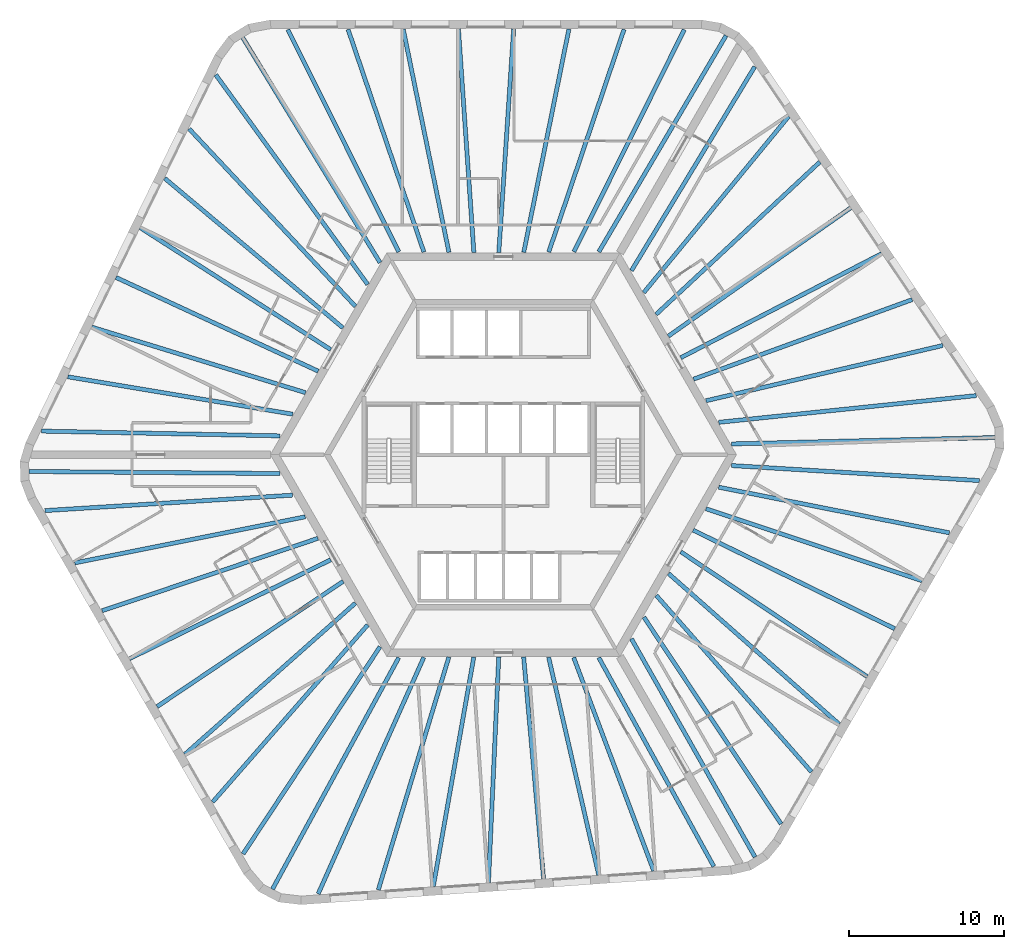
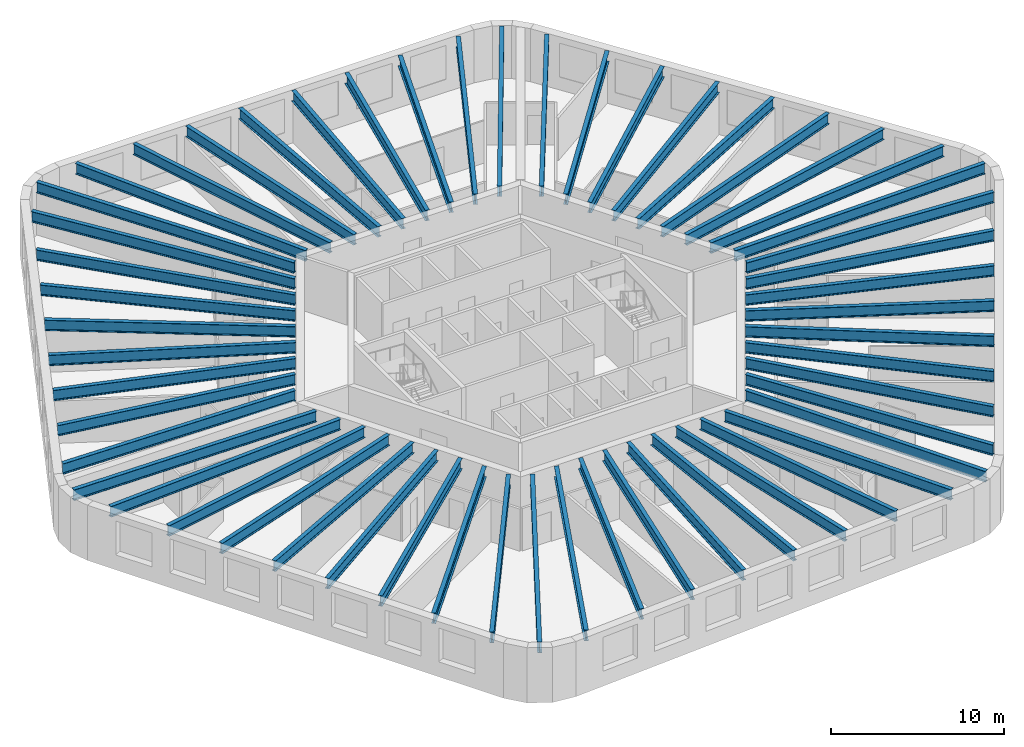
# One storey, part 1 of 10: 54 beams.
"""IFC4 building model written with IfcOpenShell, lengths in metres."""

from ifc_helpers import new_model, si_unit, direction, frame, origin, origin_2d, place, context, subcontext, project, spatial, i_section, extrude, material, material_profile, profile_set, type_object, element, save


model = new_model("IFC4")

# Units and contexts
model_context = context("Model", 3, precision=1e-05, world=origin(), true_north=direction((0.0, 1.0)))
body_context = subcontext(model_context, "Body", "Model", "MODEL_VIEW")
ifc_project = project(units=[si_unit("LENGTHUNIT", "METRE"), si_unit("AREAUNIT", "SQUARE_METRE"), si_unit("VOLUMEUNIT", "CUBIC_METRE"), si_unit("PLANEANGLEUNIT", "RADIAN"), si_unit("MASSUNIT", "GRAM", prefix="KILO")], contexts=[model_context])

# Site, building, storey
site_placement = place(None, origin())
site = spatial("IfcSite", under=ifc_project, at=site_placement, CompositionType="ELEMENT")
building_placement = place(site_placement, origin())
building = spatial("IfcBuilding", under=site, at=building_placement, Name="Tarnside Tower", CompositionType="ELEMENT")
storey_placement = place(building_placement, frame((0.0, 0.0, 230.699951171875)))
storey = spatial("IfcBuildingStorey", under=building, at=storey_placement, Name="L55", CompositionType="ELEMENT", Elevation=230.699951171875)

# Beams
ifc_material = material(Name="Steel S355", Category="steel")
ifc_material_profile_1 = material_profile(ifc_material, i_section(OverallWidth=0.26513671875, OverallDepth=0.75390625, WebThickness=0.0126953125, FlangeThickness=0.017578125, FilletRadius=0.0166015625, at=origin_2d()), Name="UB 762x267x147")
ifc_profile_set_1 = profile_set([ifc_material_profile_1], Name="Steel S355")
beam_type_1 = type_object("IfcBeamType", Name="Floor beam UB 762x267x147", PredefinedType="BEAM", material=ifc_profile_set_1)
beam_1_placement = place(storey_placement, frame((7.77001953125, 27.393310546875, 3.373046875), z_axis=(-0.320362579778, -0.947295000239, 0.0), x_axis=(0.947295000239, -0.320362579778, 0.0)))
element("IfcBeam", 1, at=beam_1_placement, inside=storey, type_object=beam_type_1, Name="Floor beam F1.02", PredefinedType="BEAM", context=body_context, shape_type="SweptSolid", body=[
    extrude(i_section(OverallWidth=0.26513671875, OverallDepth=0.75390625, WebThickness=0.0126953125, FlangeThickness=0.017578125, FilletRadius=0.0166015625, at=origin_2d()), origin(), (0.0, 0.0, 1.0), 15.134033203125),
])
beam_2_placement = place(storey_placement, frame((4.218505859375, 27.410888671875, 3.373046875), z_axis=(-0.19841777413, -0.980117537293, 0.0), x_axis=(0.980117537293, -0.19841777413, 0.0)))
element("IfcBeam", 2, at=beam_2_placement, inside=storey, type_object=beam_type_1, Name="Floor beam F1.03", PredefinedType="BEAM", context=body_context, shape_type="SweptSolid", body=[
    extrude(i_section(OverallWidth=0.26513671875, OverallDepth=0.75390625, WebThickness=0.0126953125, FlangeThickness=0.017578125, FilletRadius=0.0166015625, at=origin_2d()), origin(), (0.0, 0.0, 1.0), 14.6630859375),
])
beam_3_placement = place(storey_placement, frame((0.66259765625, 27.429931640625, 3.373046875), z_axis=(-0.066554914868, -0.997782763585, 0.0), x_axis=(0.997782763585, -0.066554914868, 0.0)))
element("IfcBeam", 3, at=beam_3_placement, inside=storey, type_object=beam_type_1, Name="Floor beam F1.04", PredefinedType="BEAM", context=body_context, shape_type="SweptSolid", body=[
    extrude(i_section(OverallWidth=0.26513671875, OverallDepth=0.75390625, WebThickness=0.0126953125, FlangeThickness=0.017578125, FilletRadius=0.0166015625, at=origin_2d()), origin(), (0.0, 0.0, 1.0), 14.44189453125),
])
beam_4_placement = place(storey_placement, frame((-2.8974609375, 27.429931640625, 3.373046875), z_axis=(0.068876921658, -0.997625164911, 0.0), x_axis=(0.997625164911, 0.068876921658, 0.0)))
element("IfcBeam", 4, at=beam_4_placement, inside=storey, type_object=beam_type_1, Name="Floor beam F1.05", PredefinedType="BEAM", context=body_context, shape_type="SweptSolid", body=[
    extrude(i_section(OverallWidth=0.26513671875, OverallDepth=0.75390625, WebThickness=0.0126953125, FlangeThickness=0.017578125, FilletRadius=0.0166015625, at=origin_2d()), origin(), (0.0, 0.0, 1.0), 14.4443359375),
])
beam_5_placement = place(storey_placement, frame((-6.45361328125, 27.410888671875, 3.373046875), z_axis=(0.200623497398, -0.979668419564, 0.0), x_axis=(0.979668419564, 0.200623497398, 0.0)))
element("IfcBeam", 5, at=beam_5_placement, inside=storey, type_object=beam_type_1, Name="Floor beam F1.06", PredefinedType="BEAM", context=body_context, shape_type="SweptSolid", body=[
    extrude(i_section(OverallWidth=0.26513671875, OverallDepth=0.75390625, WebThickness=0.0126953125, FlangeThickness=0.017578125, FilletRadius=0.0166015625, at=origin_2d()), origin(), (0.0, 0.0, 1.0), 14.669921875),
])
beam_6_placement = place(storey_placement, frame((-10.0048828125, 27.393310546875, 3.373046875), z_axis=(0.322343712034, -0.946622697442, 0.0), x_axis=(0.946622697442, 0.322343712034, 0.0)))
element("IfcBeam", 6, at=beam_6_placement, inside=storey, type_object=beam_type_1, Name="Floor beam F1.07", PredefinedType="BEAM", context=body_context, shape_type="SweptSolid", body=[
    extrude(i_section(OverallWidth=0.26513671875, OverallDepth=0.75390625, WebThickness=0.0126953125, FlangeThickness=0.017578125, FilletRadius=0.0166015625, at=origin_2d()), origin(), (0.0, 0.0, 1.0), 15.144775390625),
])
beam_7_placement = place(storey_placement, frame((-20.241455078125, 20.9892578125, 3.373046875), z_axis=(0.683752330283, -0.729714156936, 0.0), x_axis=(0.729714156936, 0.683752330283, 0.0)))
element("IfcBeam", 7, at=beam_7_placement, inside=storey, type_object=beam_type_1, Name="Floor beam F2.02", PredefinedType="BEAM", context=body_context, shape_type="SweptSolid", body=[
    extrude(i_section(OverallWidth=0.26513671875, OverallDepth=0.75390625, WebThickness=0.0126953125, FlangeThickness=0.017578125, FilletRadius=0.0166015625, at=origin_2d()), origin(), (0.0, 0.0, 1.0), 15.6591796875),
])
beam_8_placement = place(storey_placement, frame((-21.81396484375, 17.80419921875, 3.373046875), z_axis=(0.765948461073, -0.642901979294, 0.0), x_axis=(0.642901979294, 0.765948461073, 0.0)))
element("IfcBeam", 8, at=beam_8_placement, inside=storey, type_object=beam_type_1, Name="Floor beam F2.03", PredefinedType="BEAM", context=body_context, shape_type="SweptSolid", body=[
    extrude(i_section(OverallWidth=0.26513671875, OverallDepth=0.75390625, WebThickness=0.0126953125, FlangeThickness=0.017578125, FilletRadius=0.0166015625, at=origin_2d()), origin(), (0.0, 0.0, 1.0), 14.982177734375),
])
beam_9_placement = place(storey_placement, frame((-23.389892578125, 14.616455078125, 3.373046875), z_axis=(0.842378275633, -0.538886667808, 0.0), x_axis=(0.538886667808, 0.842378275633, 0.0)))
element("IfcBeam", 9, at=beam_9_placement, inside=storey, type_object=beam_type_1, Name="Floor beam F2.04", PredefinedType="BEAM", context=body_context, shape_type="SweptSolid", body=[
    extrude(i_section(OverallWidth=0.26513671875, OverallDepth=0.75390625, WebThickness=0.0126953125, FlangeThickness=0.017578125, FilletRadius=0.0166015625, at=origin_2d()), origin(), (0.0, 0.0, 1.0), 14.5595703125),
])
beam_10_placement = place(storey_placement, frame((-24.9501953125, 11.416748046875, 3.373046875), z_axis=(0.907310131748, -0.420462037321, 0.0), x_axis=(0.420462037321, 0.907310131748, 0.0)))
element("IfcBeam", 10, at=beam_10_placement, inside=storey, type_object=beam_type_1, Name="Floor beam F2.05", PredefinedType="BEAM", context=body_context, shape_type="SweptSolid", body=[
    extrude(i_section(OverallWidth=0.26513671875, OverallDepth=0.75390625, WebThickness=0.0126953125, FlangeThickness=0.017578125, FilletRadius=0.0166015625, at=origin_2d()), origin(), (0.0, 0.0, 1.0), 14.353515625),
])
beam_11_placement = place(storey_placement, frame((-26.510986328125, 8.2177734375, 3.373046875), z_axis=(0.956073348261, -0.293127536654, 0.0), x_axis=(0.293127536654, 0.956073348261, 0.0)))
element("IfcBeam", 11, at=beam_11_placement, inside=storey, type_object=beam_type_1, Name="Floor beam F2.06", PredefinedType="BEAM", context=body_context, shape_type="SweptSolid", body=[
    extrude(i_section(OverallWidth=0.26513671875, OverallDepth=0.75390625, WebThickness=0.0126953125, FlangeThickness=0.017578125, FilletRadius=0.0166015625, at=origin_2d()), origin(), (0.0, 0.0, 1.0), 14.3955078125),
])
beam_12_placement = place(storey_placement, frame((-28.0517578125, 5.015869140625, 3.373046875), z_axis=(0.986476498304, -0.163902770858, 0.0), x_axis=(0.163902770858, 0.986476498304, 0.0)))
element("IfcBeam", 12, at=beam_12_placement, inside=storey, type_object=beam_type_1, Name="Floor beam F2.07", PredefinedType="BEAM", context=body_context, shape_type="SweptSolid", body=[
    extrude(i_section(OverallWidth=0.26513671875, OverallDepth=0.75390625, WebThickness=0.0126953125, FlangeThickness=0.017578125, FilletRadius=0.0166015625, at=origin_2d()), origin(), (0.0, 0.0, 1.0), 14.680908203125),
])
beam_13_placement = place(storey_placement, frame((-29.73828125, 1.521484375, 3.373046875), z_axis=(0.999800142641, -0.019991867701, 0.0), x_axis=(0.019991867701, 0.999800142641, 0.0)))
element("IfcBeam", 13, at=beam_13_placement, inside=storey, type_object=beam_type_1, Name="Floor beam F2.08", PredefinedType="BEAM", context=body_context, shape_type="SweptSolid", body=[
    extrude(i_section(OverallWidth=0.26513671875, OverallDepth=0.75390625, WebThickness=0.0126953125, FlangeThickness=0.017578125, FilletRadius=0.0166015625, at=origin_2d()), origin(), (0.0, 0.0, 1.0), 15.3505859375),
])
beam_14_placement = place(storey_placement, frame((-27.608154296875, -6.967529296875, 3.373046875), z_axis=(0.980564540422, 0.196196794232, 0.0), x_axis=(-0.196196794232, 0.980564540422, 0.0)))
element("IfcBeam", 14, at=beam_14_placement, inside=storey, type_object=beam_type_1, Name="Floor beam F3.02", PredefinedType="BEAM", context=body_context, shape_type="SweptSolid", body=[
    extrude(i_section(OverallWidth=0.26513671875, OverallDepth=0.75390625, WebThickness=0.0126953125, FlangeThickness=0.017578125, FilletRadius=0.0166015625, at=origin_2d()), origin(), (0.0, 0.0, 1.0), 15.134033203125),
])
beam_15_placement = place(storey_placement, frame((-25.84765625, -10.052001953125, 3.373046875), z_axis=(0.948011835322, 0.31823507049, 0.0), x_axis=(-0.31823507049, 0.948011835322, 0.0)))
element("IfcBeam", 15, at=beam_15_placement, inside=storey, type_object=beam_type_1, Name="Floor beam F3.03", PredefinedType="BEAM", context=body_context, shape_type="SweptSolid", body=[
    extrude(i_section(OverallWidth=0.26513671875, OverallDepth=0.75390625, WebThickness=0.0126953125, FlangeThickness=0.017578125, FilletRadius=0.0166015625, at=origin_2d()), origin(), (0.0, 0.0, 1.0), 14.662841796875),
])
beam_16_placement = place(storey_placement, frame((-24.086181640625, -13.141357421875, 3.373046875), z_axis=(0.897375974806, 0.441266767206, 0.0), x_axis=(-0.441266767206, 0.897375974806, 0.0)))
element("IfcBeam", 16, at=beam_16_placement, inside=storey, type_object=beam_type_1, Name="Floor beam F3.04", PredefinedType="BEAM", context=body_context, shape_type="SweptSolid", body=[
    extrude(i_section(OverallWidth=0.26513671875, OverallDepth=0.75390625, WebThickness=0.0126953125, FlangeThickness=0.017578125, FilletRadius=0.0166015625, at=origin_2d()), origin(), (0.0, 0.0, 1.0), 14.442138671875),
])
beam_17_placement = place(storey_placement, frame((-22.306396484375, -16.224365234375, 3.373046875), z_axis=(0.829532486243, 0.558458462437, 0.0), x_axis=(-0.558458462437, 0.829532486243, 0.0)))
element("IfcBeam", 17, at=beam_17_placement, inside=storey, type_object=beam_type_1, Name="Floor beam F3.05", PredefinedType="BEAM", context=body_context, shape_type="SweptSolid", body=[
    extrude(i_section(OverallWidth=0.26513671875, OverallDepth=0.75390625, WebThickness=0.0126953125, FlangeThickness=0.017578125, FilletRadius=0.0166015625, at=origin_2d()), origin(), (0.0, 0.0, 1.0), 14.444580078125),
])
beam_18_placement = place(storey_placement, frame((-20.51171875, -19.294189453125, 3.373046875), z_axis=(0.74811408094, 0.663570133369, 0.0), x_axis=(-0.663570133369, 0.74811408094, 0.0)))
element("IfcBeam", 18, at=beam_18_placement, inside=storey, type_object=beam_type_1, Name="Floor beam F3.06", PredefinedType="BEAM", context=body_context, shape_type="SweptSolid", body=[
    extrude(i_section(OverallWidth=0.26513671875, OverallDepth=0.75390625, WebThickness=0.0126953125, FlangeThickness=0.017578125, FilletRadius=0.0166015625, at=origin_2d()), origin(), (0.0, 0.0, 1.0), 14.669677734375),
])
beam_19_placement = place(storey_placement, frame((-18.720703125, -22.361083984375, 3.373046875), z_axis=(0.658621010302, 0.752474826681, 0.0), x_axis=(-0.752474826681, 0.658621010302, 0.0)))
element("IfcBeam", 19, at=beam_19_placement, inside=storey, type_object=beam_type_1, Name="Floor beam F3.07", PredefinedType="BEAM", context=body_context, shape_type="SweptSolid", body=[
    extrude(i_section(OverallWidth=0.26513671875, OverallDepth=0.75390625, WebThickness=0.0126953125, FlangeThickness=0.017578125, FilletRadius=0.0166015625, at=origin_2d()), origin(), (0.0, 0.0, 1.0), 15.144775390625),
])
beam_20_placement = place(storey_placement, frame((-8.056396484375, -28.024169921875, 3.373046875), z_axis=(0.290070138838, 0.957005388989, 0.0), x_axis=(-0.957005388989, 0.290070138838, 0.0)))
element("IfcBeam", 20, at=beam_20_placement, inside=storey, type_object=beam_type_1, Name="Floor beam F4.02", PredefinedType="BEAM", context=body_context, shape_type="SweptSolid", body=[
    extrude(i_section(OverallWidth=0.26513671875, OverallDepth=0.75390625, WebThickness=0.0126953125, FlangeThickness=0.017578125, FilletRadius=0.0166015625, at=origin_2d()), origin(), (0.0, 0.0, 1.0), 15.6591796875),
])
beam_21_placement = place(storey_placement, frame((-4.511962890625, -27.793701171875, 3.373046875), z_axis=(0.173788122681, 0.984783066678, 0.0), x_axis=(-0.984783066678, 0.173788122681, 0.0)))
element("IfcBeam", 21, at=beam_21_placement, inside=storey, type_object=beam_type_1, Name="Floor beam F4.03", PredefinedType="BEAM", context=body_context, shape_type="SweptSolid", body=[
    extrude(i_section(OverallWidth=0.26513671875, OverallDepth=0.75390625, WebThickness=0.0126953125, FlangeThickness=0.017578125, FilletRadius=0.0166015625, at=origin_2d()), origin(), (0.0, 0.0, 1.0), 14.982421875),
])
beam_22_placement = place(storey_placement, frame((-0.96337890625, -27.564453125, 3.373046875), z_axis=(0.045509585226, 0.998963902077, 0.0), x_axis=(-0.998963902077, 0.045509585226, 0.0)))
element("IfcBeam", 22, at=beam_22_placement, inside=storey, type_object=beam_type_1, Name="Floor beam F4.04", PredefinedType="BEAM", context=body_context, shape_type="SweptSolid", body=[
    extrude(i_section(OverallWidth=0.26513671875, OverallDepth=0.75390625, WebThickness=0.0126953125, FlangeThickness=0.017578125, FilletRadius=0.0166015625, at=origin_2d()), origin(), (0.0, 0.0, 1.0), 14.5595703125),
])
beam_23_placement = place(storey_placement, frame((2.587890625, -27.31591796875, 3.373046875), z_axis=(-0.089518916897, 0.995985122137, 0.0), x_axis=(-0.995985122137, -0.089518916897, 0.0)))
element("IfcBeam", 23, at=beam_23_placement, inside=storey, type_object=beam_type_1, Name="Floor beam F4.05", PredefinedType="BEAM", context=body_context, shape_type="SweptSolid", body=[
    extrude(i_section(OverallWidth=0.26513671875, OverallDepth=0.75390625, WebThickness=0.0126953125, FlangeThickness=0.017578125, FilletRadius=0.0166015625, at=origin_2d()), origin(), (0.0, 0.0, 1.0), 14.353515625),
])
beam_24_placement = place(storey_placement, frame((6.138671875, -27.068115234375, 3.373046875), z_axis=(-0.224188122435, 0.974545886944, 0.0), x_axis=(-0.974545886944, -0.224188122435, 0.0)))
element("IfcBeam", 24, at=beam_24_placement, inside=storey, type_object=beam_type_1, Name="Floor beam F4.06", PredefinedType="BEAM", context=body_context, shape_type="SweptSolid", body=[
    extrude(i_section(OverallWidth=0.26513671875, OverallDepth=0.75390625, WebThickness=0.0126953125, FlangeThickness=0.017578125, FilletRadius=0.0166015625, at=origin_2d()), origin(), (0.0, 0.0, 1.0), 14.3955078125),
])
beam_25_placement = place(storey_placement, frame((9.681884765625, -26.801513671875, 3.373046875), z_axis=(-0.351271055087, 0.936273809234, 0.0), x_axis=(-0.936273809234, -0.351271055087, 0.0)))
element("IfcBeam", 25, at=beam_25_placement, inside=storey, type_object=beam_type_1, Name="Floor beam F4.07", PredefinedType="BEAM", context=body_context, shape_type="SweptSolid", body=[
    extrude(i_section(OverallWidth=0.26513671875, OverallDepth=0.75390625, WebThickness=0.0126953125, FlangeThickness=0.017578125, FilletRadius=0.0166015625, at=origin_2d()), origin(), (0.0, 0.0, 1.0), 14.680908203125),
])
beam_26_placement = place(storey_placement, frame((13.551513671875, -26.514892578125, 3.373046875), z_axis=(-0.482584088089, 0.875849643445, 0.0), x_axis=(-0.875849643445, -0.482584088089, 0.0)))
element("IfcBeam", 26, at=beam_26_placement, inside=storey, type_object=beam_type_1, Name="Floor beam F4.08", PredefinedType="BEAM", context=body_context, shape_type="SweptSolid", body=[
    extrude(i_section(OverallWidth=0.26513671875, OverallDepth=0.75390625, WebThickness=0.0126953125, FlangeThickness=0.017578125, FilletRadius=0.0166015625, at=origin_2d()), origin(), (0.0, 0.0, 1.0), 15.3505859375),
])
beam_27_placement = place(storey_placement, frame((19.838134765625, -20.425537109375, 3.373046875), z_axis=(-0.660201214512, 0.751088780609, 0.0), x_axis=(-0.751088780609, -0.660201214512, 0.0)))
element("IfcBeam", 27, at=beam_27_placement, inside=storey, type_object=beam_type_1, Name="Floor beam F5.02", PredefinedType="BEAM", context=body_context, shape_type="SweptSolid", body=[
    extrude(i_section(OverallWidth=0.26513671875, OverallDepth=0.75390625, WebThickness=0.0126953125, FlangeThickness=0.017578125, FilletRadius=0.0166015625, at=origin_2d()), origin(), (0.0, 0.0, 1.0), 15.134033203125),
])
beam_28_placement = place(storey_placement, frame((21.629150390625, -17.358642578125, 3.373046875), z_axis=(-0.749601662028, 0.661889226597, 0.0), x_axis=(-0.661889226597, -0.749601662028, 0.0)))
element("IfcBeam", 28, at=beam_28_placement, inside=storey, type_object=beam_type_1, Name="Floor beam F5.03", PredefinedType="BEAM", context=body_context, shape_type="SweptSolid", body=[
    extrude(i_section(OverallWidth=0.26513671875, OverallDepth=0.75390625, WebThickness=0.0126953125, FlangeThickness=0.017578125, FilletRadius=0.0166015625, at=origin_2d()), origin(), (0.0, 0.0, 1.0), 14.6630859375),
])
beam_29_placement = place(storey_placement, frame((23.423828125, -14.288818359375, 3.373046875), z_axis=(-0.830825943553, 0.556532345439, 0.0), x_axis=(-0.556532345439, -0.830825943553, 0.0)))
element("IfcBeam", 29, at=beam_29_placement, inside=storey, type_object=beam_type_1, Name="Floor beam F5.04", PredefinedType="BEAM", context=body_context, shape_type="SweptSolid", body=[
    extrude(i_section(OverallWidth=0.26513671875, OverallDepth=0.75390625, WebThickness=0.0126953125, FlangeThickness=0.017578125, FilletRadius=0.0166015625, at=origin_2d()), origin(), (0.0, 0.0, 1.0), 14.4423828125),
])
beam_30_placement = place(storey_placement, frame((25.203857421875, -11.205810546875, 3.373046875), z_axis=(-0.898407034897, 0.43916375038, 0.0), x_axis=(-0.43916375038, -0.898407034897, 0.0)))
element("IfcBeam", 30, at=beam_30_placement, inside=storey, type_object=beam_type_1, Name="Floor beam F5.05", PredefinedType="BEAM", context=body_context, shape_type="SweptSolid", body=[
    extrude(i_section(OverallWidth=0.26513671875, OverallDepth=0.75390625, WebThickness=0.0126953125, FlangeThickness=0.017578125, FilletRadius=0.0166015625, at=origin_2d()), origin(), (0.0, 0.0, 1.0), 14.444580078125),
])
beam_31_placement = place(storey_placement, frame((26.965087890625, -8.116455078125, 3.373046875), z_axis=(-0.948728223501, 0.31609295774, 0.0), x_axis=(-0.31609295774, -0.948728223501, 0.0)))
element("IfcBeam", 31, at=beam_31_placement, inside=storey, type_object=beam_type_1, Name="Floor beam F5.06", PredefinedType="BEAM", context=body_context, shape_type="SweptSolid", body=[
    extrude(i_section(OverallWidth=0.26513671875, OverallDepth=0.75390625, WebThickness=0.0126953125, FlangeThickness=0.017578125, FilletRadius=0.0166015625, at=origin_2d()), origin(), (0.0, 0.0, 1.0), 14.669677734375),
])
beam_32_placement = place(storey_placement, frame((28.7255859375, -5.031982421875, 3.373046875), z_axis=(-0.980974250646, 0.194137888034, 0.0), x_axis=(-0.194137888034, -0.980974250646, 0.0)))
element("IfcBeam", 32, at=beam_32_placement, inside=storey, type_object=beam_type_1, Name="Floor beam F5.07", PredefinedType="BEAM", context=body_context, shape_type="SweptSolid", body=[
    extrude(i_section(OverallWidth=0.26513671875, OverallDepth=0.75390625, WebThickness=0.0126953125, FlangeThickness=0.017578125, FilletRadius=0.0166015625, at=origin_2d()), origin(), (0.0, 0.0, 1.0), 15.144775390625),
])
beam_33_placement = place(storey_placement, frame((28.2978515625, 7.034912109375, 3.373046875), z_axis=(-0.973828212928, -0.227285309042, 0.0), x_axis=(0.227285309042, -0.973828212928, 0.0)))
element("IfcBeam", 33, at=beam_33_placement, inside=storey, type_object=beam_type_1, Name="Floor beam F6.02", PredefinedType="BEAM", context=body_context, shape_type="SweptSolid", body=[
    extrude(i_section(OverallWidth=0.26513671875, OverallDepth=0.75390625, WebThickness=0.0126953125, FlangeThickness=0.017578125, FilletRadius=0.0166015625, at=origin_2d()), origin(), (0.0, 0.0, 1.0), 15.6591796875),
])
beam_34_placement = place(storey_placement, frame((26.325927734375, 9.989501953125, 3.373046875), z_axis=(-0.939738697004, -0.341893523415, 0.0), x_axis=(0.341893523415, -0.939738697004, 0.0)))
element("IfcBeam", 34, at=beam_34_placement, inside=storey, type_object=beam_type_1, Name="Floor beam F6.03", PredefinedType="BEAM", context=body_context, shape_type="SweptSolid", body=[
    extrude(i_section(OverallWidth=0.26513671875, OverallDepth=0.75390625, WebThickness=0.0126953125, FlangeThickness=0.017578125, FilletRadius=0.0166015625, at=origin_2d()), origin(), (0.0, 0.0, 1.0), 14.982177734375),
])
beam_35_placement = place(storey_placement, frame((24.353271484375, 12.947998046875, 3.373046875), z_axis=(-0.887881646639, -0.460071930856, 0.0), x_axis=(0.460071930856, -0.887881646639, 0.0)))
element("IfcBeam", 35, at=beam_35_placement, inside=storey, type_object=beam_type_1, Name="Floor beam F6.04", PredefinedType="BEAM", context=body_context, shape_type="SweptSolid", body=[
    extrude(i_section(OverallWidth=0.26513671875, OverallDepth=0.75390625, WebThickness=0.0126953125, FlangeThickness=0.017578125, FilletRadius=0.0166015625, at=origin_2d()), origin(), (0.0, 0.0, 1.0), 14.5595703125),
])
beam_36_placement = place(storey_placement, frame((22.3623046875, 15.899169921875, 3.373046875), z_axis=(-0.817791001708, -0.575515314762, 0.0), x_axis=(0.575515314762, -0.817791001708, 0.0)))
element("IfcBeam", 36, at=beam_36_placement, inside=storey, type_object=beam_type_1, Name="Floor beam F6.05", PredefinedType="BEAM", context=body_context, shape_type="SweptSolid", body=[
    extrude(i_section(OverallWidth=0.26513671875, OverallDepth=0.75390625, WebThickness=0.0126953125, FlangeThickness=0.017578125, FilletRadius=0.0166015625, at=origin_2d()), origin(), (0.0, 0.0, 1.0), 14.353759765625),
])
beam_37_placement = place(storey_placement, frame((20.372314453125, 18.850341796875, 3.373046875), z_axis=(-0.731892224456, -0.681420407517, 0.0), x_axis=(0.681420407517, -0.731892224456, 0.0)))
element("IfcBeam", 37, at=beam_37_placement, inside=storey, type_object=beam_type_1, Name="Floor beam F6.06", PredefinedType="BEAM", context=body_context, shape_type="SweptSolid", body=[
    extrude(i_section(OverallWidth=0.26513671875, OverallDepth=0.75390625, WebThickness=0.0126953125, FlangeThickness=0.017578125, FilletRadius=0.0166015625, at=origin_2d()), origin(), (0.0, 0.0, 1.0), 14.3955078125),
])
beam_38_placement = place(storey_placement, frame((18.369873046875, 21.78564453125, 3.373046875), z_axis=(-0.635191827457, -0.772354414975, 0.0), x_axis=(0.772354414975, -0.635191827457, 0.0)))
element("IfcBeam", 38, at=beam_38_placement, inside=storey, type_object=beam_type_1, Name="Floor beam F6.07", PredefinedType="BEAM", context=body_context, shape_type="SweptSolid", body=[
    extrude(i_section(OverallWidth=0.26513671875, OverallDepth=0.75390625, WebThickness=0.0126953125, FlangeThickness=0.017578125, FilletRadius=0.0166015625, at=origin_2d()), origin(), (0.0, 0.0, 1.0), 14.680908203125),
])
beam_39_placement = place(storey_placement, frame((16.186767578125, 24.993408203125, 3.373046875), z_axis=(-0.517208605106, -0.855859368591, 0.0), x_axis=(0.855859368591, -0.517208605106, 0.0)))
element("IfcBeam", 39, at=beam_39_placement, inside=storey, type_object=beam_type_1, Name="Floor beam F6.08", PredefinedType="BEAM", context=body_context, shape_type="SweptSolid", body=[
    extrude(i_section(OverallWidth=0.26513671875, OverallDepth=0.75390625, WebThickness=0.0126953125, FlangeThickness=0.017578125, FilletRadius=0.0166015625, at=origin_2d()), origin(), (0.0, 0.0, 1.0), 15.3505859375),
])
ifc_material_profile_2 = material_profile(ifc_material, i_section(OverallWidth=0.2666015625, OverallDepth=0.76220703125, WebThickness=0.014404296875, FlangeThickness=0.021484375, FilletRadius=0.0166015625, at=origin_2d()), Name="UB 762x267x173")
ifc_profile_set_2 = profile_set([ifc_material_profile_2], Name="Steel S355")
beam_type_2 = type_object("IfcBeamType", Name="Floor beam UB 762x267x173", PredefinedType="BEAM", material=ifc_profile_set_2)
beam_40_placement = place(storey_placement, frame((11.6494140625, 27.37841796875, 3.368896484375), z_axis=(-0.445042310328, -0.895509543231, 0.0), x_axis=(0.895509543231, -0.445042310328, 0.0)))
element("IfcBeam", 40, at=beam_40_placement, inside=storey, type_object=beam_type_2, Name="Floor beam F1.01", PredefinedType="BEAM", context=body_context, shape_type="SweptSolid", body=[
    extrude(i_section(OverallWidth=0.2666015625, OverallDepth=0.76220703125, WebThickness=0.014404296875, FlangeThickness=0.021484375, FilletRadius=0.0166015625, at=origin_2d()), origin(), (0.0, 0.0, 1.0), 15.976318359375),
])
beam_41_placement = place(storey_placement, frame((-13.884521484375, 27.37841796875, 3.368896484375), z_axis=(0.44673108957, -0.894668281326, 0.0), x_axis=(0.894668281326, 0.44673108957, 0.0)))
element("IfcBeam", 41, at=beam_41_placement, inside=storey, type_object=beam_type_2, Name="Floor beam F1.08", PredefinedType="BEAM", context=body_context, shape_type="SweptSolid", body=[
    extrude(i_section(OverallWidth=0.2666015625, OverallDepth=0.76220703125, WebThickness=0.014404296875, FlangeThickness=0.021484375, FilletRadius=0.0166015625, at=origin_2d()), origin(), (0.0, 0.0, 1.0), 15.9912109375),
])
beam_42_placement = place(storey_placement, frame((-16.79345703125, 26.86962890625, 3.368896484375), z_axis=(0.520940467881, -0.853593011291, 0.0), x_axis=(0.853593011291, 0.520940467881, 0.0)))
element("IfcBeam", 42, at=beam_42_placement, inside=storey, type_object=beam_type_2, Name="Floor beam C1", PredefinedType="BEAM", context=body_context, shape_type="SweptSolid", body=[
    extrude(i_section(OverallWidth=0.2666015625, OverallDepth=0.76220703125, WebThickness=0.014404296875, FlangeThickness=0.021484375, FilletRadius=0.0166015625, at=origin_2d()), origin(), (0.0, 0.0, 1.0), 16.980712890625),
])
beam_43_placement = place(storey_placement, frame((-18.52685546875, 24.471435546875, 3.368896484375), z_axis=(0.586791943415, -0.80973774467, 0.0), x_axis=(0.80973774467, 0.586791943415, 0.0)))
element("IfcBeam", 43, at=beam_43_placement, inside=storey, type_object=beam_type_2, Name="Floor beam F2.01", PredefinedType="BEAM", context=body_context, shape_type="SweptSolid", body=[
    extrude(i_section(OverallWidth=0.2666015625, OverallDepth=0.76220703125, WebThickness=0.014404296875, FlangeThickness=0.021484375, FilletRadius=0.0166015625, at=origin_2d()), origin(), (0.0, 0.0, 1.0), 16.67578125),
])
beam_44_placement = place(storey_placement, frame((-30.543212890625, -1.079345703125, 3.368896484375), z_axis=(0.999966072652, -0.008237326324, 0.0), x_axis=(0.008237326324, 0.999966072652, 0.0)))
element("IfcBeam", 44, at=beam_44_placement, inside=storey, type_object=beam_type_2, Name="Floor beam C2", PredefinedType="BEAM", context=body_context, shape_type="SweptSolid", body=[
    extrude(i_section(OverallWidth=0.2666015625, OverallDepth=0.76220703125, WebThickness=0.014404296875, FlangeThickness=0.021484375, FilletRadius=0.0166015625, at=origin_2d()), origin(), (0.0, 0.0, 1.0), 16.15283203125),
])
beam_45_placement = place(storey_placement, frame((-29.534912109375, -3.6005859375, 3.368896484375), z_axis=(0.99805531279, 0.062334521832, 0.0), x_axis=(-0.062334521832, 0.99805531279, 0.0)))
element("IfcBeam", 45, at=beam_45_placement, inside=storey, type_object=beam_type_2, Name="Floor beam F3.01", PredefinedType="BEAM", context=body_context, shape_type="SweptSolid", body=[
    extrude(i_section(OverallWidth=0.2666015625, OverallDepth=0.76220703125, WebThickness=0.014404296875, FlangeThickness=0.021484375, FilletRadius=0.0166015625, at=origin_2d()), origin(), (0.0, 0.0, 1.0), 15.975830078125),
])
beam_46_placement = place(storey_placement, frame((-16.768310546875, -25.71337890625, 3.368896484375), z_axis=(0.551447600123, 0.834209532623, 0.0), x_axis=(-0.834209532623, 0.551447600123, 0.0)))
element("IfcBeam", 46, at=beam_46_placement, inside=storey, type_object=beam_type_2, Name="Floor beam F3.08", PredefinedType="BEAM", context=body_context, shape_type="SweptSolid", body=[
    extrude(i_section(OverallWidth=0.2666015625, OverallDepth=0.76220703125, WebThickness=0.014404296875, FlangeThickness=0.021484375, FilletRadius=0.0166015625, at=origin_2d()), origin(), (0.0, 0.0, 1.0), 15.9912109375),
])
beam_47_placement = place(storey_placement, frame((-14.873046875, -27.978515625, 3.368896484375), z_axis=(0.478767512404, 0.877941723047, 0.0), x_axis=(-0.877941723047, 0.478767512404, 0.0)))
element("IfcBeam", 47, at=beam_47_placement, inside=storey, type_object=beam_type_2, Name="Floor beam C3", PredefinedType="BEAM", context=body_context, shape_type="SweptSolid", body=[
    extrude(i_section(OverallWidth=0.2666015625, OverallDepth=0.76220703125, WebThickness=0.014404296875, FlangeThickness=0.021484375, FilletRadius=0.0166015625, at=origin_2d()), origin(), (0.0, 0.0, 1.0), 16.98095703125),
])
beam_48_placement = place(storey_placement, frame((-11.929443359375, -28.280517578125, 3.368896484375), z_axis=(0.407852035629, 0.913048036542, 0.0), x_axis=(-0.913048036542, 0.407852035629, 0.0)))
element("IfcBeam", 48, at=beam_48_placement, inside=storey, type_object=beam_type_2, Name="Floor beam F4.01", PredefinedType="BEAM", context=body_context, shape_type="SweptSolid", body=[
    extrude(i_section(OverallWidth=0.2666015625, OverallDepth=0.76220703125, WebThickness=0.014404296875, FlangeThickness=0.021484375, FilletRadius=0.0166015625, at=origin_2d()), origin(), (0.0, 0.0, 1.0), 16.67578125),
])
beam_49_placement = place(storey_placement, frame((16.206298828125, -25.91162109375, 3.368896484375), z_axis=(-0.492847437034, 0.870115741616, 0.0), x_axis=(-0.870115741616, -0.492847437034, 0.0)))
element("IfcBeam", 49, at=beam_49_placement, inside=storey, type_object=beam_type_2, Name="Floor beam C4", PredefinedType="BEAM", context=body_context, shape_type="SweptSolid", body=[
    extrude(i_section(OverallWidth=0.2666015625, OverallDepth=0.76220703125, WebThickness=0.014404296875, FlangeThickness=0.021484375, FilletRadius=0.0166015625, at=origin_2d()), origin(), (0.0, 0.0, 1.0), 16.15283203125),
])
beam_50_placement = place(storey_placement, frame((17.8857421875, -23.77783203125, 3.368896484375), z_axis=(-0.553013371197, 0.833172377889, 0.0), x_axis=(-0.833172377889, -0.553013371197, 0.0)))
element("IfcBeam", 50, at=beam_50_placement, inside=storey, type_object=beam_type_2, Name="Floor beam F5.01", PredefinedType="BEAM", context=body_context, shape_type="SweptSolid", body=[
    extrude(i_section(OverallWidth=0.2666015625, OverallDepth=0.76220703125, WebThickness=0.014404296875, FlangeThickness=0.021484375, FilletRadius=0.0166015625, at=origin_2d()), origin(), (0.0, 0.0, 1.0), 15.97607421875),
])
beam_51_placement = place(storey_placement, frame((30.652587890625, -1.6650390625, 3.368896484375), z_axis=(-0.998170730858, 0.060458184371, 0.0), x_axis=(-0.060458184371, -0.998170730858, 0.0)))
element("IfcBeam", 51, at=beam_51_placement, inside=storey, type_object=beam_type_2, Name="Floor beam F5.08", PredefinedType="BEAM", context=body_context, shape_type="SweptSolid", body=[
    extrude(i_section(OverallWidth=0.2666015625, OverallDepth=0.76220703125, WebThickness=0.014404296875, FlangeThickness=0.021484375, FilletRadius=0.0166015625, at=origin_2d()), origin(), (0.0, 0.0, 1.0), 15.9912109375),
])
beam_52_placement = place(storey_placement, frame((31.66650390625, 1.108642578125, 3.368896484375), z_axis=(-0.999703706976, -0.024341287118, 0.0), x_axis=(0.024341287118, -0.999703706976, 0.0)))
element("IfcBeam", 52, at=beam_52_placement, inside=storey, type_object=beam_type_2, Name="Floor beam C5", PredefinedType="BEAM", context=body_context, shape_type="SweptSolid", body=[
    extrude(i_section(OverallWidth=0.2666015625, OverallDepth=0.76220703125, WebThickness=0.014404296875, FlangeThickness=0.021484375, FilletRadius=0.0166015625, at=origin_2d()), origin(), (0.0, 0.0, 1.0), 16.980712890625),
])
beam_53_placement = place(storey_placement, frame((30.456298828125, 3.80908203125, 3.368896484375), z_axis=(-0.994648352349, -0.103318222829, 0.0), x_axis=(0.103318222829, -0.994648352349, 0.0)))
element("IfcBeam", 53, at=beam_53_placement, inside=storey, type_object=beam_type_2, Name="Floor beam F6.01", PredefinedType="BEAM", context=body_context, shape_type="SweptSolid", body=[
    extrude(i_section(OverallWidth=0.2666015625, OverallDepth=0.76220703125, WebThickness=0.014404296875, FlangeThickness=0.021484375, FilletRadius=0.0166015625, at=origin_2d()), origin(), (0.0, 0.0, 1.0), 16.67578125),
])
beam_54_placement = place(storey_placement, frame((14.3369140625, 26.990966796875, 3.368896484375), z_axis=(-0.507115238706, -0.861878259775, 0.0), x_axis=(0.861878259775, -0.507115238706, 0.0)))
element("IfcBeam", 54, at=beam_54_placement, inside=storey, type_object=beam_type_2, Name="Floor beam C6", PredefinedType="BEAM", context=body_context, shape_type="SweptSolid", body=[
    extrude(i_section(OverallWidth=0.2666015625, OverallDepth=0.76220703125, WebThickness=0.014404296875, FlangeThickness=0.021484375, FilletRadius=0.0166015625, at=origin_2d()), origin(), (0.0, 0.0, 1.0), 16.15283203125),
])

save(model, "model.ifc")
